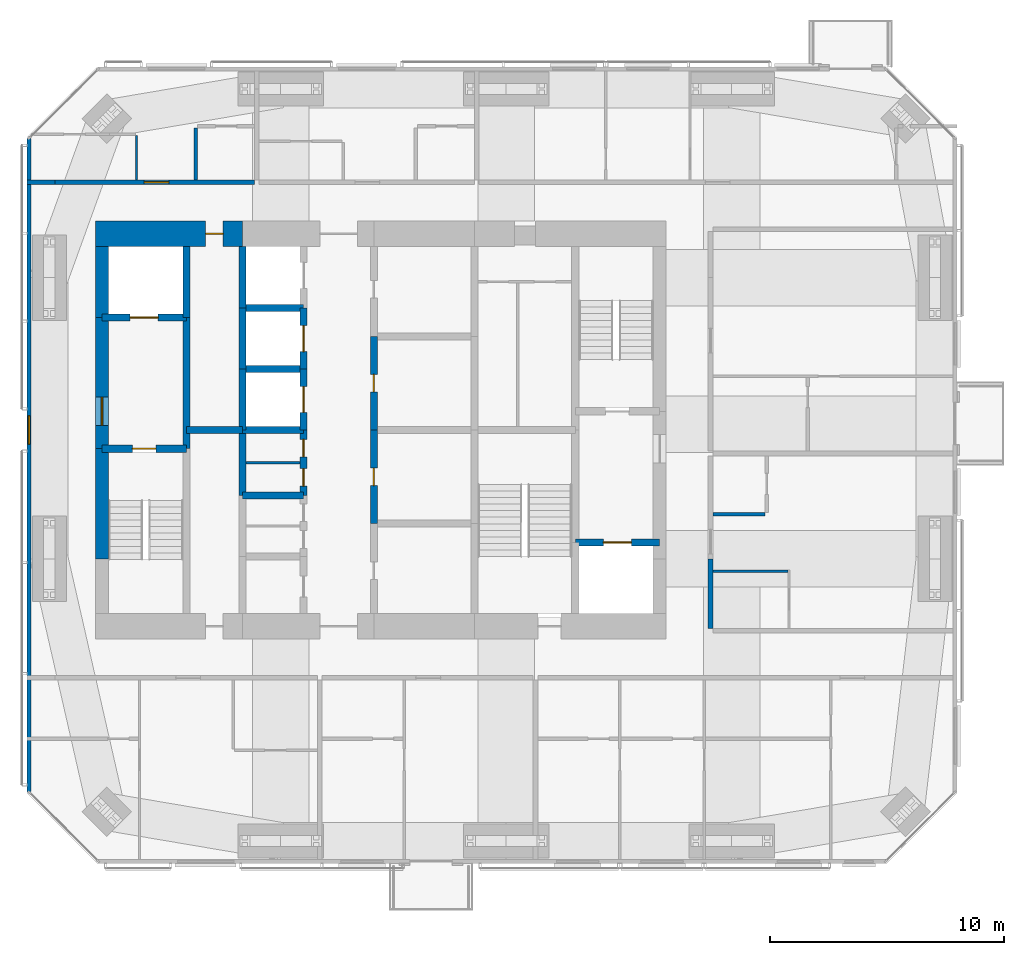
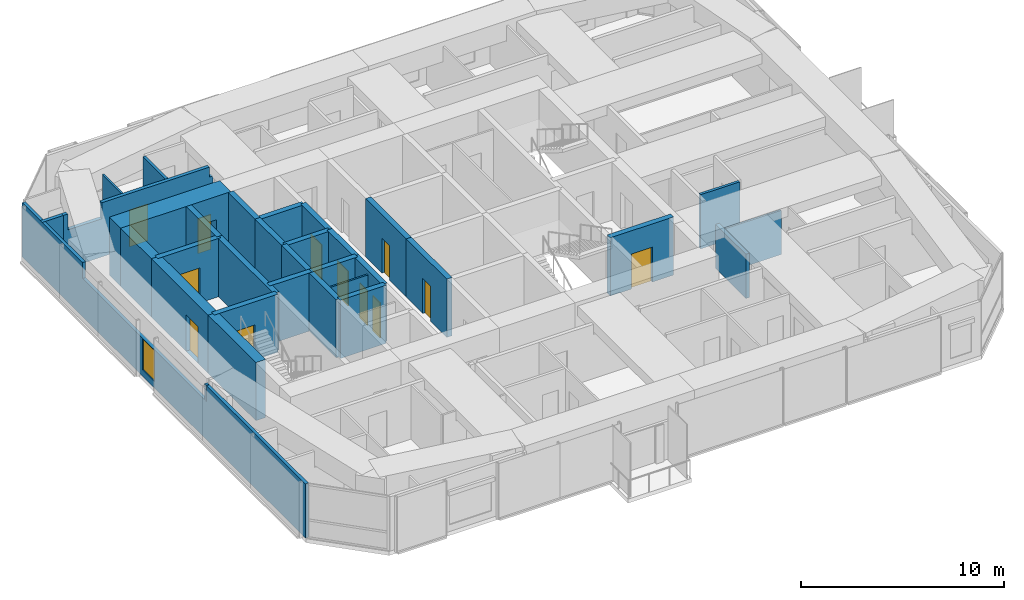
# One storey, part 14 of 18: 32 walls, 12 doors, 1 window, 13 openings.
"""IFC4 building model written with IfcOpenShell, lengths in metres."""

from ifc_helpers import new_model, si_unit, direction, frame, frame_2d, origin, place, context, subcontext, project, spatial, polyline, rectangle, outline, extrude, material, layer, layer_set, constituent, constituent_set, type_object, element, fill, save


model = new_model("IFC4")

# Units and contexts
model_context = context("Model", 3, precision=1e-05, world=origin(), true_north=direction((0.0, 1.0)))
body_context = subcontext(model_context, "Body", "Model", "MODEL_VIEW")
ifc_project = project(units=[si_unit("LENGTHUNIT", "METRE"), si_unit("AREAUNIT", "SQUARE_METRE"), si_unit("VOLUMEUNIT", "CUBIC_METRE"), si_unit("PLANEANGLEUNIT", "RADIAN"), si_unit("MASSUNIT", "GRAM", prefix="KILO")], contexts=[model_context])

# Site, building, storey
site_placement = place(None, origin())
site = spatial("IfcSite", under=ifc_project, at=site_placement, CompositionType="ELEMENT")
building_placement = place(site_placement, origin())
building = spatial("IfcBuilding", under=site, at=building_placement, Name="Jalousie Tower", CompositionType="ELEMENT")
storey_placement = place(building_placement, frame((0.0, 0.0, 235.449951171875)))
storey = spatial("IfcBuildingStorey", under=building, at=storey_placement, Name="L64", CompositionType="ELEMENT", Elevation=235.449951171875)

# Walls
ifc_material_1 = material(Name="Concrete block ASTM C90", Category="concrete")
ifc_constituent_1 = constituent(ifc_material_1, Name="Body")
ifc_material_2 = material(Name="Render")
ifc_constituent_2 = constituent(ifc_material_2, Name="Finish")
ifc_constituent_set_1 = constituent_set(constituents=[ifc_constituent_1, ifc_constituent_2])
wall_type_1 = type_object("IfcWallType", Name="BATHROOM WALL 150", PredefinedType="PLUMBINGWALL", material=ifc_constituent_set_1)
wall_1_placement = place(storey_placement, frame((24.0, 31.39990234375, 0.0), z_axis=(0.0, 0.0, 1.0), x_axis=(0.0, -1.0, 0.0)))
element("IfcWall", 1, at=wall_1_placement, inside=storey, type_object=wall_type_1, Name="Bathroom Wall 150 L64", PredefinedType="PLUMBINGWALL", context=body_context, shape_type="SweptSolid", body=[
    extrude(rectangle(XDim=2.224853515625, YDim=0.14990234375, at=frame_2d((1.1123046875, 0.0))), origin(), (0.0, 0.0, 1.0), 3.260009765625),
])
wall_2_placement = place(storey_placement, frame((48.300048828125, 14.89990234375, 0.0), z_axis=(0.0, 0.0, 1.0), x_axis=(-1.0, 0.0, 0.0)))
element("IfcWall", 2, at=wall_2_placement, inside=storey, type_object=wall_type_1, Name="Bathroom Wall 150 L64", PredefinedType="PLUMBINGWALL", context=body_context, shape_type="SweptSolid", body=[
    extrude(rectangle(XDim=2.22509765625, YDim=0.14990234375, at=frame_2d((1.112548828125, 0.0))), origin(), (0.0, 0.0, 1.0), 3.260009765625),
])

# Wall, opening, door
ifc_material_3 = material(Name="Concrete f'c 120 MPa", Category="concrete")
ifc_layer_1 = layer(ifc_material_3, 1.10009765625)
ifc_layer_set_1 = layer_set([ifc_layer_1], Name="Concrete f'c 120 MPa")
wall_type_2 = type_object("IfcWallType", Name="CORE WALL 1100", PredefinedType="SHEAR", material=ifc_layer_set_1)
wall_3_placement = place(storey_placement, frame((26.0, 26.875, 0.0), z_axis=(0.0, 0.0, 1.0), x_axis=(-1.0, 0.0, 0.0)))
wall_3 = element("IfcWall", 3, at=wall_3_placement, inside=storey, type_object=wall_type_2, Name="Core wall ND L64", PredefinedType="SHEAR", context=body_context, shape_type="SweptSolid", body=[
    extrude(rectangle(XDim=6.27490234375, YDim=1.10009765625, at=frame_2d((3.137451171875, 0.0))), origin(), (0.0, 0.0, 1.0), 3.5),
])
opening_1_placement = place(wall_3_placement, frame((0.824951171875, 0.0, 0.0)))
opening_1 = element("IfcOpeningElement", 4, at=opening_1_placement, cuts=wall_3, Name="Opening D16", PredefinedType="OPENING", context=body_context, shape_type="SweptSolid", body=[
    extrude(rectangle(XDim=0.75, YDim=2.10009765625, at=frame_2d((0.375, 1.050048828125))), frame((0.0, 0.56005859375, 0.0), z_axis=(0.0, -1.0, 0.0), x_axis=(1.0, 0.0, 0.0)), (0.0, 0.0, 1.0), 1.1201171875),
])
ifc_material_4 = material(Name="Steel fire door", Category="steel")
door_type_1 = type_object("IfcDoorType", Name="RISER DOOR 750", OperationType="SINGLE_SWING_LEFT", PredefinedType="DOOR", material=ifc_material_4)
door_1_placement = place(opening_1_placement, origin())
door_1 = element("IfcDoor", 5, at=door_1_placement, inside=storey, type_object=door_type_1, Name="North riser door", OperationType="SINGLE_SWING_RIGHT", OverallHeight=2.10009765625, OverallWidth=0.75, PredefinedType="DOOR", context=body_context, shape_type="SweptSolid", body=[
    extrude(rectangle(XDim=0.75, YDim=2.10009765625, at=frame_2d((0.375, 1.050048828125))), frame((0.0, 0.02490234375, 0.0), z_axis=(0.0, -1.0, 0.0), x_axis=(1.0, 0.0, 0.0)), (0.0, 0.0, 1.0), 0.050048828125),
])
fill(opening_1, door_1)

# Walls
ifc_material_5 = material(Name="Concrete f'c 120 MPa", Category="concrete")
ifc_layer_2 = layer(ifc_material_5, 0.300048828125)
ifc_layer_set_2 = layer_set([ifc_layer_2], Name="Concrete f'c 120 MPa")
wall_type_3 = type_object("IfcWallType", Name="CORE WALL 300", PredefinedType="SHEAR", material=ifc_layer_set_2)
wall_4_placement = place(storey_placement, frame((23.60009765625, 17.699951171875, 0.0), z_axis=(0.0, 0.0, 1.0), x_axis=(0.0, 1.0, 0.0)))
element("IfcWall", 6, at=wall_4_placement, inside=storey, type_object=wall_type_3, Name="Core wall X23.6B L64", PredefinedType="SHEAR", context=body_context, shape_type="SweptSolid", body=[
    extrude(rectangle(XDim=5.60009765625, YDim=0.300048828125, at=frame_2d((2.800048828125, 0.0))), origin(), (0.0, 0.0, 1.0), 3.5),
])
wall_5_placement = place(storey_placement, frame((23.60009765625, 23.300048828125, 0.0), z_axis=(0.0, 0.0, 1.0), x_axis=(0.0, 1.0, 0.0)))
element("IfcWall", 7, at=wall_5_placement, inside=storey, type_object=wall_type_3, Name="Core wall X23.6C L64", PredefinedType="SHEAR", context=body_context, shape_type="SweptSolid", body=[
    extrude(rectangle(XDim=3.02490234375, YDim=0.300048828125, at=frame_2d((1.512451171875, 0.0))), origin(), (0.0, 0.0, 1.0), 3.5),
])
wall_6_placement = place(storey_placement, frame((26.0, 15.699951171875, 0.0), z_axis=(0.0, 0.0, 1.0), x_axis=(0.0, 1.0, 0.0)))
element("IfcWall", 8, at=wall_6_placement, inside=storey, type_object=wall_type_3, Name="Core wall X26C L64", PredefinedType="SHEAR", context=body_context, shape_type="SweptSolid", body=[
    extrude(rectangle(XDim=2.800048828125, YDim=0.300048828125, at=frame_2d((1.39990234375, 0.0))), origin(), (0.0, 0.0, 1.0), 3.5),
])
wall_7_placement = place(storey_placement, frame((26.0, 18.5, 0.0), z_axis=(0.0, 0.0, 1.0), x_axis=(0.0, 1.0, 0.0)))
element("IfcWall", 9, at=wall_7_placement, inside=storey, type_object=wall_type_3, Name="Core wall X26D L64", PredefinedType="SHEAR", context=body_context, shape_type="SweptSolid", body=[
    extrude(rectangle(XDim=2.60009765625, YDim=0.300048828125, at=frame_2d((1.300048828125, 0.0))), origin(), (0.0, 0.0, 1.0), 3.5),
])
wall_8_placement = place(storey_placement, frame((26.0, 21.10009765625, 0.0), z_axis=(0.0, 0.0, 1.0), x_axis=(0.0, 1.0, 0.0)))
element("IfcWall", 10, at=wall_8_placement, inside=storey, type_object=wall_type_3, Name="Core wall X26E L64", PredefinedType="SHEAR", context=body_context, shape_type="SweptSolid", body=[
    extrude(rectangle(XDim=2.599853515625, YDim=0.300048828125, at=frame_2d((1.2998046875, 0.0))), origin(), (0.0, 0.0, 1.0), 3.5),
])
wall_9_placement = place(storey_placement, frame((26.0, 23.699951171875, 0.0), z_axis=(0.0, 0.0, 1.0), x_axis=(0.0, 1.0, 0.0)))
element("IfcWall", 11, at=wall_9_placement, inside=storey, type_object=wall_type_3, Name="Core wall X26F L64", PredefinedType="SHEAR", context=body_context, shape_type="SweptSolid", body=[
    extrude(rectangle(XDim=2.625, YDim=0.300048828125, at=frame_2d((1.3125, 0.0))), origin(), (0.0, 0.0, 1.0), 3.5),
])

# Wall, openings, doors
wall_10_placement = place(storey_placement, frame((28.60009765625, 15.699951171875, 0.0), z_axis=(0.0, 0.0, 1.0), x_axis=(0.0, 1.0, 0.0)))
wall_10 = element("IfcWall", 12, at=wall_10_placement, inside=storey, type_object=wall_type_3, Name="Core wall X28.6C L64", PredefinedType="SHEAR", context=body_context, shape_type="SweptSolid", body=[
    extrude(rectangle(XDim=2.800048828125, YDim=0.300048828125, at=frame_2d((1.39990234375, 0.0))), origin(), (0.0, 0.0, 1.0), 3.5),
])
opening_2_placement = place(wall_10_placement, frame((0.39990234375, 0.0, 0.0)))
opening_2 = element("IfcOpeningElement", 13, at=opening_2_placement, cuts=wall_10, Name="Opening D27", PredefinedType="OPENING", context=body_context, shape_type="SweptSolid", body=[
    extrude(rectangle(XDim=0.75, YDim=2.10009765625, at=frame_2d((0.375, 1.050048828125))), frame((0.0, 0.159912109375, 0.0), z_axis=(0.0, -1.0, 0.0), x_axis=(1.0, 0.0, 0.0)), (0.0, 0.0, 1.0), 0.320068359375),
])
opening_3_placement = place(wall_10_placement, frame((1.64990234375, 0.0, 0.0)))
opening_3 = element("IfcOpeningElement", 14, at=opening_3_placement, cuts=wall_10, Name="Opening D27", PredefinedType="OPENING", context=body_context, shape_type="SweptSolid", body=[
    extrude(rectangle(XDim=0.75, YDim=2.10009765625, at=frame_2d((0.375, 1.050048828125))), frame((0.0, 0.159912109375, 0.0), z_axis=(0.0, -1.0, 0.0), x_axis=(1.0, 0.0, 0.0)), (0.0, 0.0, 1.0), 0.320068359375),
])
ifc_material_6 = material(Name="Steel fire door", Category="steel")
door_type_2 = type_object("IfcDoorType", Name="CORE ROOM DOOR 750", OperationType="SINGLE_SWING_LEFT", PredefinedType="DOOR", material=ifc_material_6)
door_2_placement = place(opening_2_placement, origin())
door_2 = element("IfcDoor", 15, at=door_2_placement, inside=storey, type_object=door_type_2, Name="Linen store door", OperationType="SINGLE_SWING_RIGHT", OverallHeight=2.10009765625, OverallWidth=0.75, PredefinedType="DOOR", context=body_context, shape_type="SweptSolid", body=[
    extrude(rectangle(XDim=0.75, YDim=2.10009765625, at=frame_2d((0.375, 1.050048828125))), frame((0.0, 0.02490234375, 0.0), z_axis=(0.0, -1.0, 0.0), x_axis=(1.0, 0.0, 0.0)), (0.0, 0.0, 1.0), 0.050048828125),
])
fill(opening_2, door_2)
door_3_placement = place(opening_3_placement, origin())
door_3 = element("IfcDoor", 16, at=door_3_placement, inside=storey, type_object=door_type_2, Name="Staff WC door", OperationType="SINGLE_SWING_LEFT", OverallHeight=2.10009765625, OverallWidth=0.75, PredefinedType="DOOR", context=body_context, shape_type="SweptSolid", body=[
    extrude(rectangle(XDim=0.75, YDim=2.10009765625, at=frame_2d((0.375, 1.050048828125))), frame((0.0, 0.02490234375, 0.0), z_axis=(0.0, -1.0, 0.0), x_axis=(1.0, 0.0, 0.0)), (0.0, 0.0, 1.0), 0.050048828125),
])
fill(opening_3, door_3)

# Wall, opening, door
wall_11_placement = place(storey_placement, frame((28.60009765625, 18.5, 0.0), z_axis=(0.0, 0.0, 1.0), x_axis=(0.0, 1.0, 0.0)))
wall_11 = element("IfcWall", 17, at=wall_11_placement, inside=storey, type_object=wall_type_3, Name="Core wall X28.6D L64", PredefinedType="SHEAR", context=body_context, shape_type="SweptSolid", body=[
    extrude(rectangle(XDim=2.60009765625, YDim=0.300048828125, at=frame_2d((1.300048828125, 0.0))), origin(), (0.0, 0.0, 1.0), 3.5),
])
opening_4_placement = place(wall_11_placement, frame((0.75, 0.0, 0.0)))
opening_4 = element("IfcOpeningElement", 18, at=opening_4_placement, cuts=wall_11, Name="Opening LD1", PredefinedType="OPENING", context=body_context, shape_type="SweptSolid", body=[
    extrude(rectangle(XDim=1.10009765625, YDim=2.10009765625, at=frame_2d((0.550048828125, 1.050048828125))), frame((0.0, 0.159912109375, 0.0), z_axis=(0.0, -1.0, 0.0), x_axis=(1.0, 0.0, 0.0)), (0.0, 0.0, 1.0), 0.320068359375),
])
ifc_material_7 = material(Name="Steel lift landing door", Category="steel")
door_type_3 = type_object("IfcDoorType", Name="LIFT LANDING DOOR 1100", OperationType="SLIDING_TO_LEFT", PredefinedType="DOOR", material=ifc_material_7)
door_4_placement = place(opening_4_placement, origin())
door_4 = element("IfcDoor", 19, at=door_4_placement, inside=storey, type_object=door_type_3, Name="Lift P4 landing door", OperationType="SLIDING_TO_LEFT", OverallHeight=2.10009765625, OverallWidth=1.10009765625, PredefinedType="DOOR", context=body_context, shape_type="SweptSolid", body=[
    extrude(rectangle(XDim=1.10009765625, YDim=2.10009765625, at=frame_2d((0.550048828125, 1.050048828125))), frame((0.0, 0.02490234375, 0.0), z_axis=(0.0, -1.0, 0.0), x_axis=(1.0, 0.0, 0.0)), (0.0, 0.0, 1.0), 0.050048828125),
])
fill(opening_4, door_4)

wall_12_placement = place(storey_placement, frame((28.60009765625, 21.10009765625, 0.0), z_axis=(0.0, 0.0, 1.0), x_axis=(0.0, 1.0, 0.0)))
wall_12 = element("IfcWall", 20, at=wall_12_placement, inside=storey, type_object=wall_type_3, Name="Core wall X28.6E L64", PredefinedType="SHEAR", context=body_context, shape_type="SweptSolid", body=[
    extrude(rectangle(XDim=2.599853515625, YDim=0.300048828125, at=frame_2d((1.2998046875, 0.0))), origin(), (0.0, 0.0, 1.0), 3.5),
])
opening_5_placement = place(wall_12_placement, frame((0.75, 0.0, 0.0)))
opening_5 = element("IfcOpeningElement", 21, at=opening_5_placement, cuts=wall_12, Name="Opening LD1", PredefinedType="OPENING", context=body_context, shape_type="SweptSolid", body=[
    extrude(rectangle(XDim=1.10009765625, YDim=2.10009765625, at=frame_2d((0.550048828125, 1.050048828125))), frame((0.0, 0.159912109375, 0.0), z_axis=(0.0, -1.0, 0.0), x_axis=(1.0, 0.0, 0.0)), (0.0, 0.0, 1.0), 0.320068359375),
])
door_5_placement = place(opening_5_placement, origin())
door_5 = element("IfcDoor", 22, at=door_5_placement, inside=storey, type_object=door_type_3, Name="Lift P5 landing door", OperationType="SLIDING_TO_LEFT", OverallHeight=2.10009765625, OverallWidth=1.10009765625, PredefinedType="DOOR", context=body_context, shape_type="SweptSolid", body=[
    extrude(rectangle(XDim=1.10009765625, YDim=2.10009765625, at=frame_2d((0.550048828125, 1.050048828125))), frame((0.0, 0.02490234375, 0.0), z_axis=(0.0, -1.0, 0.0), x_axis=(1.0, 0.0, 0.0)), (0.0, 0.0, 1.0), 0.050048828125),
])
fill(opening_5, door_5)

wall_13_placement = place(storey_placement, frame((31.60009765625, 14.5, 0.0), z_axis=(0.0, 0.0, 1.0), x_axis=(0.0, 1.0, 0.0)))
wall_13 = element("IfcWall", 23, at=wall_13_placement, inside=storey, type_object=wall_type_3, Name="Core wall X31.6B L64", PredefinedType="SHEAR", context=body_context, shape_type="SweptSolid", body=[
    extrude(rectangle(XDim=4.0, YDim=0.300048828125, at=frame_2d((2.0, 0.0))), origin(), (0.0, 0.0, 1.0), 3.5),
])
opening_6_placement = place(wall_13_placement, frame((1.625, 0.0, 0.0)))
opening_6 = element("IfcOpeningElement", 24, at=opening_6_placement, cuts=wall_13, Name="Opening D16", PredefinedType="OPENING", context=body_context, shape_type="SweptSolid", body=[
    extrude(rectangle(XDim=0.75, YDim=2.10009765625, at=frame_2d((0.375, 1.050048828125))), frame((0.0, 0.159912109375, 0.0), z_axis=(0.0, -1.0, 0.0), x_axis=(1.0, 0.0, 0.0)), (0.0, 0.0, 1.0), 0.320068359375),
])
door_6_placement = place(opening_6_placement, frame((0.75, 0.0, 0.0), z_axis=(0.0, 0.0, 1.0), x_axis=(-1.0, 0.0, 0.0)))
door_6 = element("IfcDoor", 25, at=door_6_placement, inside=storey, type_object=door_type_1, Name="Electrical Room door", OperationType="SINGLE_SWING_RIGHT", OverallHeight=2.10009765625, OverallWidth=0.75, PredefinedType="DOOR", context=body_context, shape_type="SweptSolid", body=[
    extrude(rectangle(XDim=0.75, YDim=2.10009765625, at=frame_2d((0.375, 1.050048828125))), frame((0.0, 0.02490234375, 0.0), z_axis=(0.0, -1.0, 0.0), x_axis=(1.0, 0.0, 0.0)), (0.0, 0.0, 1.0), 0.050048828125),
])
fill(opening_6, door_6)

wall_14_placement = place(storey_placement, frame((31.60009765625, 18.5, 0.0), z_axis=(0.0, 0.0, 1.0), x_axis=(0.0, 1.0, 0.0)))
wall_14 = element("IfcWall", 26, at=wall_14_placement, inside=storey, type_object=wall_type_3, Name="Core wall X31.6C L64", PredefinedType="SHEAR", context=body_context, shape_type="SweptSolid", body=[
    extrude(rectangle(XDim=4.0, YDim=0.300048828125, at=frame_2d((2.0, 0.0))), origin(), (0.0, 0.0, 1.0), 3.5),
])
opening_7_placement = place(wall_14_placement, frame((1.625, 0.0, 0.0)))
opening_7 = element("IfcOpeningElement", 27, at=opening_7_placement, cuts=wall_14, Name="Opening D16", PredefinedType="OPENING", context=body_context, shape_type="SweptSolid", body=[
    extrude(rectangle(XDim=0.75, YDim=2.10009765625, at=frame_2d((0.375, 1.050048828125))), frame((0.0, 0.159912109375, 0.0), z_axis=(0.0, -1.0, 0.0), x_axis=(1.0, 0.0, 0.0)), (0.0, 0.0, 1.0), 0.320068359375),
])
door_7_placement = place(opening_7_placement, frame((0.75, 0.0, 0.0), z_axis=(0.0, 0.0, 1.0), x_axis=(-1.0, 0.0, 0.0)))
door_7 = element("IfcDoor", 28, at=door_7_placement, inside=storey, type_object=door_type_1, Name="Telecom Room door", OperationType="SINGLE_SWING_RIGHT", OverallHeight=2.10009765625, OverallWidth=0.75, PredefinedType="DOOR", context=body_context, shape_type="SweptSolid", body=[
    extrude(rectangle(XDim=0.75, YDim=2.10009765625, at=frame_2d((0.375, 1.050048828125))), frame((0.0, 0.02490234375, 0.0), z_axis=(0.0, -1.0, 0.0), x_axis=(1.0, 0.0, 0.0)), (0.0, 0.0, 1.0), 0.050048828125),
])
fill(opening_7, door_7)

wall_15_placement = place(storey_placement, frame((20.0, 17.699951171875, 0.0), z_axis=(0.0, 0.0, 1.0), x_axis=(1.0, 0.0, 0.0)))
wall_15 = element("IfcWall", 29, at=wall_15_placement, inside=storey, type_object=wall_type_3, Name="Core wall Y20-17.7 L64", PredefinedType="SHEAR", context=body_context, shape_type="SweptSolid", body=[
    extrude(rectangle(XDim=3.60009765625, YDim=0.300048828125, at=frame_2d((1.800048828125, 0.0))), origin(), (0.0, 0.0, 1.0), 3.5),
])
opening_8_placement = place(wall_15_placement, frame((1.300048828125, 0.0, 0.0)))
opening_8 = element("IfcOpeningElement", 30, at=opening_8_placement, cuts=wall_15, Name="Opening D10", PredefinedType="OPENING", context=body_context, shape_type="SweptSolid", body=[
    extrude(rectangle(XDim=1.0, YDim=2.10009765625, at=frame_2d((0.5, 1.050048828125))), frame((0.0, 0.159912109375, 0.0), z_axis=(0.0, -1.0, 0.0), x_axis=(1.0, 0.0, 0.0)), (0.0, 0.0, 1.0), 0.320068359375),
])
ifc_material_8 = material(Name="Steel fire door", Category="steel")
door_type_4 = type_object("IfcDoorType", Name="STAIR DOOR 1000", OperationType="SINGLE_SWING_LEFT", PredefinedType="DOOR", material=ifc_material_8)
door_8_placement = place(opening_8_placement, frame((1.0, 0.0, 0.0), z_axis=(0.0, 0.0, 1.0), x_axis=(-1.0, 0.0, 0.0)))
door_8 = element("IfcDoor", 31, at=door_8_placement, inside=storey, type_object=door_type_4, Name="Exit stair A door", OperationType="SINGLE_SWING_RIGHT", OverallHeight=2.10009765625, OverallWidth=1.0, PredefinedType="DOOR", context=body_context, shape_type="SweptSolid", body=[
    extrude(rectangle(XDim=1.0, YDim=2.10009765625, at=frame_2d((0.5, 1.050048828125))), frame((0.0, 0.02490234375, 0.0), z_axis=(0.0, -1.0, 0.0), x_axis=(1.0, 0.0, 0.0)), (0.0, 0.0, 1.0), 0.050048828125),
])
fill(opening_8, door_8)

wall_16_placement = place(storey_placement, frame((20.0, 23.300048828125, 0.0), z_axis=(0.0, 0.0, 1.0), x_axis=(1.0, 0.0, 0.0)))
wall_16 = element("IfcWall", 32, at=wall_16_placement, inside=storey, type_object=wall_type_3, Name="Core wall Y20-23.3 L64", PredefinedType="SHEAR", context=body_context, shape_type="SweptSolid", body=[
    extrude(rectangle(XDim=3.60009765625, YDim=0.300048828125, at=frame_2d((1.800048828125, 0.0))), origin(), (0.0, 0.0, 1.0), 3.5),
])
opening_9_placement = place(wall_16_placement, frame((1.199951171875, 0.0, 0.0)))
opening_9 = element("IfcOpeningElement", 33, at=opening_9_placement, cuts=wall_16, Name="Opening LD2", PredefinedType="OPENING", context=body_context, shape_type="SweptSolid", body=[
    extrude(rectangle(XDim=1.199951171875, YDim=2.10009765625, at=frame_2d((0.60009765625, 1.050048828125))), frame((0.0, 0.159912109375, 0.0), z_axis=(0.0, -1.0, 0.0), x_axis=(1.0, 0.0, 0.0)), (0.0, 0.0, 1.0), 0.320068359375),
])
ifc_material_9 = material(Name="Steel lift landing door", Category="steel")
door_type_5 = type_object("IfcDoorType", Name="LIFT LANDING DOOR 1200", OperationType="SLIDING_TO_LEFT", PredefinedType="DOOR", material=ifc_material_9)
door_9_placement = place(opening_9_placement, origin())
door_9 = element("IfcDoor", 34, at=door_9_placement, inside=storey, type_object=door_type_5, Name="Lift F1 landing door", OperationType="SLIDING_TO_LEFT", OverallHeight=2.10009765625, OverallWidth=1.199951171875, PredefinedType="DOOR", context=body_context, shape_type="SweptSolid", body=[
    extrude(rectangle(XDim=1.199951171875, YDim=2.10009765625, at=frame_2d((0.60009765625, 1.050048828125))), frame((0.0, 0.02490234375, 0.0), z_axis=(0.0, -1.0, 0.0), x_axis=(1.0, 0.0, 0.0)), (0.0, 0.0, 1.0), 0.050048828125),
])
fill(opening_9, door_9)

# Walls
wall_17_placement = place(storey_placement, frame((23.60009765625, 18.5, 0.0), z_axis=(0.0, 0.0, 1.0), x_axis=(1.0, 0.0, 0.0)))
element("IfcWall", 35, at=wall_17_placement, inside=storey, type_object=wall_type_3, Name="Core wall Y23.6-18.5 L64", PredefinedType="SHEAR", context=body_context, shape_type="SweptSolid", body=[
    extrude(rectangle(XDim=2.39990234375, YDim=0.300048828125, at=frame_2d((1.199951171875, 0.0))), origin(), (0.0, 0.0, 1.0), 3.5),
])
for number, where, z_axis, x_axis, name in (
    (36, (26.0, 15.699951171875, 0.0), (0.0, 0.0, 1.0), (1.0, 0.0, 0.0), "Core wall Y26-15.7 L64"),
    (37, (26.0, 18.5, 0.0), (0.0, 0.0, 1.0), (1.0, 0.0, 0.0), "Core wall Y26-18.5 L64"),
    (38, (26.0, 21.10009765625, 0.0), (0.0, 0.0, 1.0), (1.0, 0.0, 0.0), "Core wall Y26-21.1 L64"),
    (39, (26.0, 23.699951171875, 0.0), (0.0, 0.0, 1.0), (1.0, 0.0, 0.0), "Core wall Y26-23.7 L64"),
):
    element("IfcWall", number, at=place(storey_placement, frame(where, z_axis=z_axis, x_axis=x_axis)), inside=storey, type_object=wall_type_3, Name=name, PredefinedType="SHEAR", context=body_context, shape_type="SweptSolid", body=[
        extrude(rectangle(XDim=2.60009765625, YDim=0.300048828125, at=frame_2d((1.300048828125, 0.0))), origin(), (0.0, 0.0, 1.0), 3.5),
    ])

# Wall, opening, door
wall_18_placement = place(storey_placement, frame((40.199951171875, 13.699951171875, 0.0), z_axis=(0.0, 0.0, 1.0), x_axis=(1.0, 0.0, 0.0)))
wall_18 = element("IfcWall", 40, at=wall_18_placement, inside=storey, type_object=wall_type_3, Name="Core wall Y40.2-13.7 L64", PredefinedType="SHEAR", context=body_context, shape_type="SweptSolid", body=[
    extrude(rectangle(XDim=3.60009765625, YDim=0.300048828125, at=frame_2d((1.800048828125, 0.0))), origin(), (0.0, 0.0, 1.0), 3.5),
])
opening_10_placement = place(wall_18_placement, frame((1.199951171875, 0.0, 0.0)))
opening_10 = element("IfcOpeningElement", 41, at=opening_10_placement, cuts=wall_18, Name="Opening LD2", PredefinedType="OPENING", context=body_context, shape_type="SweptSolid", body=[
    extrude(rectangle(XDim=1.199951171875, YDim=2.10009765625, at=frame_2d((0.60009765625, 1.050048828125))), frame((0.0, 0.159912109375, 0.0), z_axis=(0.0, -1.0, 0.0), x_axis=(1.0, 0.0, 0.0)), (0.0, 0.0, 1.0), 0.320068359375),
])
door_10_placement = place(opening_10_placement, origin())
door_10 = element("IfcDoor", 42, at=door_10_placement, inside=storey, type_object=door_type_5, Name="Lift F2 landing door", OperationType="SLIDING_TO_LEFT", OverallHeight=2.10009765625, OverallWidth=1.199951171875, PredefinedType="DOOR", context=body_context, shape_type="SweptSolid", body=[
    extrude(rectangle(XDim=1.199951171875, YDim=2.10009765625, at=frame_2d((0.60009765625, 1.050048828125))), frame((0.0, 0.02490234375, 0.0), z_axis=(0.0, -1.0, 0.0), x_axis=(1.0, 0.0, 0.0)), (0.0, 0.0, 1.0), 0.050048828125),
])
fill(opening_10, door_10)

# Wall
ifc_material_10 = material(Name="Concrete f'c 120 MPa", Category="concrete")
ifc_layer_3 = layer(ifc_material_10, 0.550048828125)
ifc_layer_set_3 = layer_set([ifc_layer_3], Name="Concrete f'c 120 MPa")
wall_type_4 = type_object("IfcWallType", Name="CORE WALL 550", PredefinedType="SHEAR", material=ifc_layer_set_3)
wall_19_placement = place(storey_placement, frame((20.0, 26.324951171875, 0.0), z_axis=(0.0, 0.0, 1.0), x_axis=(0.0, -1.0, 0.0)))
element("IfcWall", 43, at=wall_19_placement, inside=storey, type_object=wall_type_4, Name="Core wall WA L64", PredefinedType="SHEAR", context=body_context, shape_type="SweptSolid", body=[
    extrude(rectangle(XDim=3.02490234375, YDim=0.550048828125, at=frame_2d((1.512451171875, 0.0))), origin(), (0.0, 0.0, 1.0), 3.5),
])

# Wall, opening, door
wall_20_placement = place(storey_placement, frame((20.0, 23.300048828125, 0.0), z_axis=(0.0, 0.0, 1.0), x_axis=(0.0, -1.0, 0.0)))
wall_20 = element("IfcWall", 44, at=wall_20_placement, inside=storey, type_object=wall_type_4, Name="Core wall WB L64", PredefinedType="SHEAR", context=body_context, shape_type="SweptSolid", body=[
    extrude(rectangle(XDim=5.60009765625, YDim=0.550048828125, at=frame_2d((2.800048828125, 0.0))), origin(), (0.0, 0.0, 1.0), 3.5),
])
opening_11_placement = place(wall_20_placement, frame((3.39990234375, 0.0, 0.0)))
opening_11 = element("IfcOpeningElement", 45, at=opening_11_placement, cuts=wall_20, Name="Opening D11", PredefinedType="OPENING", context=body_context, shape_type="SweptSolid", body=[
    extrude(rectangle(XDim=1.199951171875, YDim=2.199951171875, at=frame_2d((0.60009765625, 1.10009765625))), frame((0.0, 0.284912109375, 0.0), z_axis=(0.0, -1.0, 0.0), x_axis=(1.0, 0.0, 0.0)), (0.0, 0.0, 1.0), 0.570068359375),
])
ifc_material_11 = material(Name="Steel fire door", Category="steel")
door_type_6 = type_object("IfcDoorType", Name="FIRE DOOR 1200", OperationType="SINGLE_SWING_LEFT", PredefinedType="DOOR", material=ifc_material_11)
door_11_placement = place(opening_11_placement, origin())
door_11 = element("IfcDoor", 46, at=door_11_placement, inside=storey, type_object=door_type_6, Name="Fire-fighting lobby A door", OperationType="SINGLE_SWING_RIGHT", OverallHeight=2.199951171875, OverallWidth=1.199951171875, PredefinedType="DOOR", context=body_context, shape_type="SweptSolid", body=[
    extrude(rectangle(XDim=1.199951171875, YDim=2.199951171875, at=frame_2d((0.60009765625, 1.10009765625))), frame((0.0, 0.02490234375, 0.0), z_axis=(0.0, -1.0, 0.0), x_axis=(1.0, 0.0, 0.0)), (0.0, 0.0, 1.0), 0.050048828125),
])
fill(opening_11, door_11)

# Wall
wall_21_placement = place(storey_placement, frame((20.0, 17.699951171875, 0.0), z_axis=(0.0, 0.0, 1.0), x_axis=(0.0, -1.0, 0.0)))
element("IfcWall", 47, at=wall_21_placement, inside=storey, type_object=wall_type_4, Name="Core wall WC L64", PredefinedType="SHEAR", context=body_context, shape_type="SweptSolid", body=[
    extrude(rectangle(XDim=4.699951171875, YDim=0.550048828125, at=frame_2d((2.35009765625, 0.0))), origin(), (0.0, 0.0, 1.0), 3.5),
])

# Wall, opening, door
ifc_material_12 = material(Name="Concrete block ASTM C90", Category="concrete")
ifc_constituent_3 = constituent(ifc_material_12, Name="Body")
ifc_material_13 = material(Name="Render")
ifc_constituent_4 = constituent(ifc_material_13, Name="Finish")
ifc_constituent_set_2 = constituent_set(constituents=[ifc_constituent_3, ifc_constituent_4])
wall_type_5 = type_object("IfcWallType", Name="CORRIDOR WALL 200", PredefinedType="PARTITIONING", material=ifc_constituent_set_2)
wall_22_placement = place(storey_placement, frame((18.0, 29.074951171875, 0.0), z_axis=(0.0, 0.0, 1.0), x_axis=(1.0, 0.0, 0.0)))
wall_22 = element("IfcWall", 48, at=wall_22_placement, inside=storey, type_object=wall_type_5, Name="Corridor Wall 200 L64", PredefinedType="PARTITIONING", context=body_context, shape_type="SweptSolid", body=[
    extrude(outline(polyline([(0.0, 0.0), (8.5, 0.0), (8.5, 3.260009765625), (8.5, 2.66015625), (8.31494140625, 2.66015625), (8.31494140625, 3.260009765625), (2.191650390625, 3.260009765625), (2.191650390625, 2.300048828125), (0.25634765625, 2.300048828125), (0.25634765625, 3.260009765625), (0.0, 3.260009765625), (0.0, 0.0)])), frame((0.0, 0.10009765625, 0.0), z_axis=(0.0, -1.0, 0.0), x_axis=(1.0, 0.0, 0.0)), (0.0, 0.0, 1.0), 0.199951171875),
])
opening_12_placement = place(wall_22_placement, frame((3.800048828125, 0.0, 0.0)))
opening_12 = element("IfcOpeningElement", 49, at=opening_12_placement, cuts=wall_22, Name="Opening D1", PredefinedType="OPENING", context=body_context, shape_type="SweptSolid", body=[
    extrude(rectangle(XDim=1.050048828125, YDim=2.199951171875, at=frame_2d((0.52490234375, 1.10009765625))), frame((0.0, 0.10986328125, 0.0), z_axis=(0.0, -1.0, 0.0), x_axis=(1.0, 0.0, 0.0)), (0.0, 0.0, 1.0), 0.219970703125),
])
ifc_material_14 = material(Name="Timber fire door", Category="wood")
door_type_7 = type_object("IfcDoorType", Name="APARTMENT ENTRANCE DOOR 1050", OperationType="SINGLE_SWING_LEFT", PredefinedType="DOOR", material=ifc_material_14)
door_12_placement = place(opening_12_placement, origin())
door_12 = element("IfcDoor", 50, at=door_12_placement, inside=storey, type_object=door_type_7, Name="Apartment 6404 entrance", OperationType="SINGLE_SWING_LEFT", OverallHeight=2.199951171875, OverallWidth=1.050048828125, PredefinedType="DOOR", context=body_context, shape_type="SweptSolid", body=[
    extrude(rectangle(XDim=1.050048828125, YDim=2.199951171875, at=frame_2d((0.52490234375, 1.10009765625))), frame((0.0, 0.02490234375, 0.0), z_axis=(0.0, -1.0, 0.0), x_axis=(1.0, 0.0, 0.0)), (0.0, 0.0, 1.0), 0.050048828125),
])
fill(opening_12, door_12)

# Wall
wall_23_placement = place(storey_placement, frame((45.97509765625, 10.02490234375, 0.0), z_axis=(0.0, 0.0, 1.0), x_axis=(0.0, 1.0, 0.0)))
element("IfcWall", 51, at=wall_23_placement, inside=storey, type_object=wall_type_5, Name="Corridor Wall 200 L64-A", PredefinedType="PARTITIONING", context=body_context, shape_type="SweptSolid", body=[
    extrude(rectangle(XDim=2.97509765625, YDim=0.199951171875, at=frame_2d((1.487548828125, 0.0))), origin(), (0.0, 0.0, 1.0), 2.66015625),
])

# Wall, opening, window
ifc_material_15 = material(Name="Concrete f'c 40 MPa", Category="concrete")
ifc_constituent_5 = constituent(ifc_material_15, Name="Body")
ifc_material_16 = material(Name="Render, pastel sky blue")
ifc_constituent_6 = constituent(ifc_material_16, Name="Finish")
ifc_constituent_set_3 = constituent_set(constituents=[ifc_constituent_5, ifc_constituent_6])
wall_type_6 = type_object("IfcWallType", Name="EXTERNAL WALL 175 SKY BLUE RENDER", PredefinedType="SOLIDWALL", material=ifc_constituent_set_3)
wall_24_placement = place(storey_placement, frame((16.887451171875, 30.94873046875, 0.0), z_axis=(0.0, 0.0, 1.0), x_axis=(0.0, -1.0, 0.0)))
wall_24 = element("IfcWall", 52, at=wall_24_placement, inside=storey, type_object=wall_type_6, Name="External Wall 175 Sky Blue Render L64", PredefinedType="SOLIDWALL", context=body_context, shape_type="SweptSolid", body=[
    extrude(outline(polyline([(0.0, 0.0), (27.8974609375, 0.0), (27.8974609375, 3.260009765625), (18.1484375, 3.260009765625), (18.1484375, 2.300048828125), (18.125, 2.300048828125), (18.125, 3.260009765625), (17.94873046875, 3.260009765625), (17.94873046875, 2.300048828125), (5.94873046875, 2.300048828125), (5.94873046875, 3.260009765625), (0.0, 3.260009765625), (0.0, 0.0)])), frame((0.0, 0.08740234375, 0.0), z_axis=(0.0, -1.0, 0.0), x_axis=(1.0, 0.0, 0.0)), (0.0, 0.0, 1.0), 0.175048828125),
])
opening_13_placement = place(wall_24_placement, frame((11.8486328125, 0.0, 0.39990234375)))
opening_13 = element("IfcOpeningElement", 53, at=opening_13_placement, cuts=wall_24, Name="Opening W-COR185", PredefinedType="OPENING", context=body_context, shape_type="SweptSolid", body=[
    extrude(rectangle(XDim=1.199951171875, YDim=1.85009765625, at=frame_2d((0.60009765625, 0.925048828125))), frame((0.0, 0.097412109375, 0.0), z_axis=(0.0, -1.0, 0.0), x_axis=(1.0, 0.0, 0.0)), (0.0, 0.0, 1.0), 0.195068359375),
])
ifc_material_17 = material(Name="Aluminium frame, impact-rated glazing", Category="aluminium")
window_type = type_object("IfcWindowType", Name="WINDOW COR 1200x1850", PartitioningType="SINGLE_PANEL", PredefinedType="WINDOW", material=ifc_material_17)
window_placement = place(opening_13_placement, origin())
window = element("IfcWindow", 54, at=window_placement, inside=storey, type_object=window_type, Name="Corridor window", OverallHeight=1.85009765625, OverallWidth=1.199951171875, PartitioningType="SINGLE_PANEL", PredefinedType="WINDOW", context=body_context, shape_type="SweptSolid", body=[
    extrude(rectangle(XDim=1.199951171875, YDim=1.85009765625, at=frame_2d((0.60009765625, 0.925048828125))), frame((0.0, 0.030029296875, 0.0), z_axis=(0.0, -1.0, 0.0), x_axis=(1.0, 0.0, 0.0)), (0.0, 0.0, 1.0), 0.06005859375),
])
fill(opening_13, window)

# Walls
ifc_material_18 = material(Name="Gypsum board", Category="gypsum")
ifc_constituent_7 = constituent(ifc_material_18, Name="Body")
ifc_material_19 = material(Name="Light-gauge steel studs ASTM A653 SS Grade 33", Category="steel")
ifc_constituent_8 = constituent(ifc_material_19, Name="Framing")
ifc_constituent_set_4 = constituent_set(constituents=[ifc_constituent_7, ifc_constituent_8])
wall_type_7 = type_object("IfcWallType", Name="PARTITION 100", PredefinedType="PARTITIONING", material=ifc_constituent_set_4)
wall_25_placement = place(storey_placement, frame((21.47509765625, 31.074951171875, 0.0), z_axis=(0.0, 0.0, 1.0), x_axis=(0.0, -1.0, 0.0)))
element("IfcWall", 55, at=wall_25_placement, inside=storey, type_object=wall_type_7, Name="Partition 100 L64", PredefinedType="PARTITIONING", context=body_context, shape_type="SweptSolid", body=[
    extrude(rectangle(XDim=1.89990234375, YDim=0.10009765625, at=frame_2d((0.949951171875, 0.0))), origin(), (0.0, 0.0, 1.0), 3.260009765625),
])
wall_26_placement = place(storey_placement, frame((46.074951171875, 12.47509765625, 0.0), z_axis=(0.0, 0.0, 1.0), x_axis=(1.0, 0.0, 0.0)))
element("IfcWall", 56, at=wall_26_placement, inside=storey, type_object=wall_type_7, Name="Partition 100 L64", PredefinedType="PARTITIONING", context=body_context, shape_type="SweptSolid", body=[
    extrude(outline(polyline([(0.0, 0.0), (3.199951171875, 0.0), (3.199951171875, 3.260009765625), (3.199951171875, 2.66015625), (2.06005859375, 2.66015625), (0.0, 2.66015625), (0.0, 3.260009765625), (0.0, 0.0)])), frame((0.0, 0.050048828125, 0.0), z_axis=(0.0, -1.0, 0.0), x_axis=(1.0, 0.0, 0.0)), (0.0, 0.0, 1.0), 0.10009765625),
])
wall_27_placement = place(storey_placement, frame((26.14990234375, 17.10009765625, 0.0), z_axis=(0.0, 0.0, 1.0), x_axis=(1.0, 0.0, 0.0)))
element("IfcWall", 57, at=wall_27_placement, inside=storey, type_object=wall_type_7, Name="Partition 100 L64", PredefinedType="PARTITIONING", context=body_context, shape_type="SweptSolid", body=[
    extrude(rectangle(XDim=2.300048828125, YDim=0.10009765625, at=frame_2d((1.14990234375, 0.0))), origin(), (0.0, 0.0, 1.0), 3.260009765625),
])
ifc_material_20 = material(Name="Concrete block ASTM C90", Category="concrete")
ifc_constituent_9 = constituent(ifc_material_20, Name="Body")
ifc_material_21 = material(Name="Render")
ifc_constituent_10 = constituent(ifc_material_21, Name="Finish")
ifc_constituent_set_5 = constituent_set(constituents=[ifc_constituent_9, ifc_constituent_10])
wall_type_8 = type_object("IfcWallType", Name="PARTY WALL 200", PredefinedType="PARTITIONING", material=ifc_constituent_set_5)
wall_28_placement = place(storey_placement, frame((16.800048828125, 29.074951171875, 0.0), z_axis=(0.0, 0.0, 1.0), x_axis=(1.0, 0.0, 0.0)))
element("IfcWall", 58, at=wall_28_placement, inside=storey, type_object=wall_type_8, Name="Party Wall 200 L64", PredefinedType="PARTITIONING", context=body_context, shape_type="SweptSolid", body=[
    extrude(rectangle(XDim=1.199951171875, YDim=0.199951171875, at=frame_2d((0.60009765625, 0.0))), origin(), (0.0, 0.0, 1.0), 3.260009765625),
])

save(model, "model.ifc")
